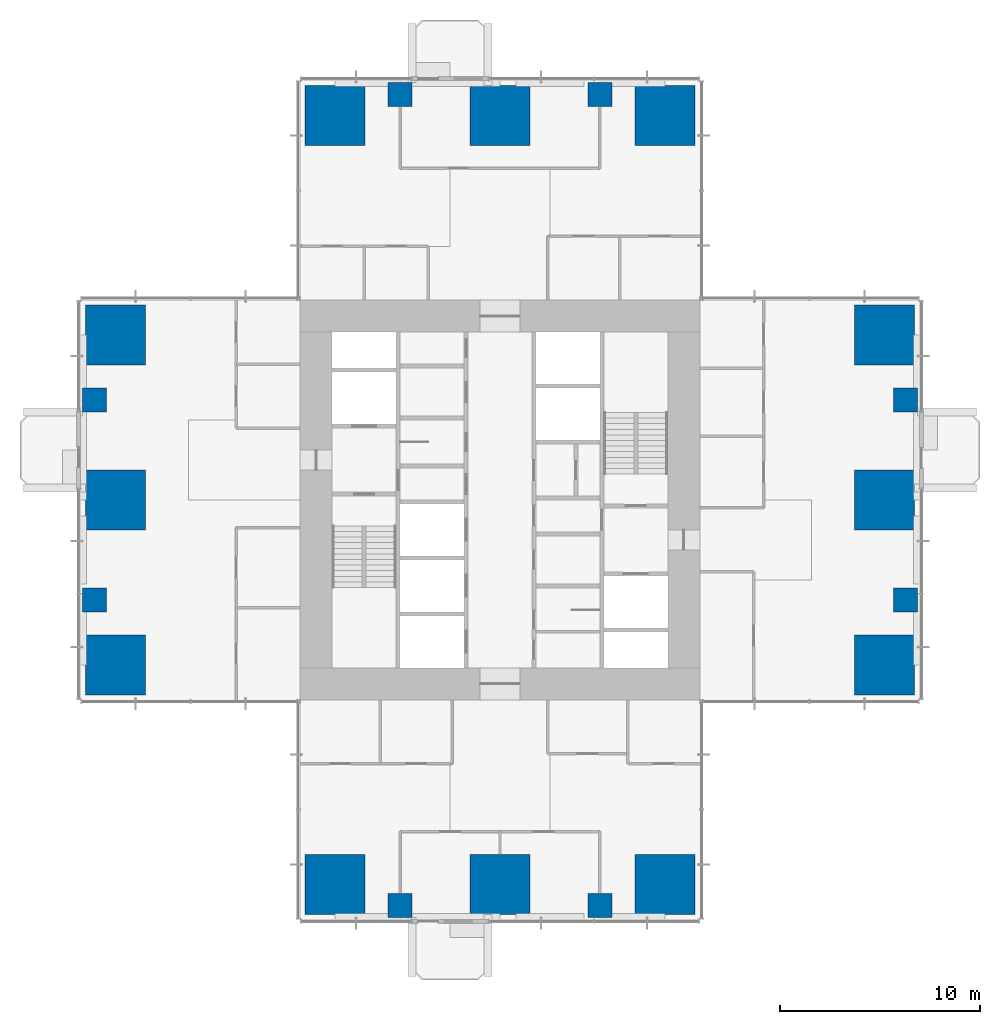
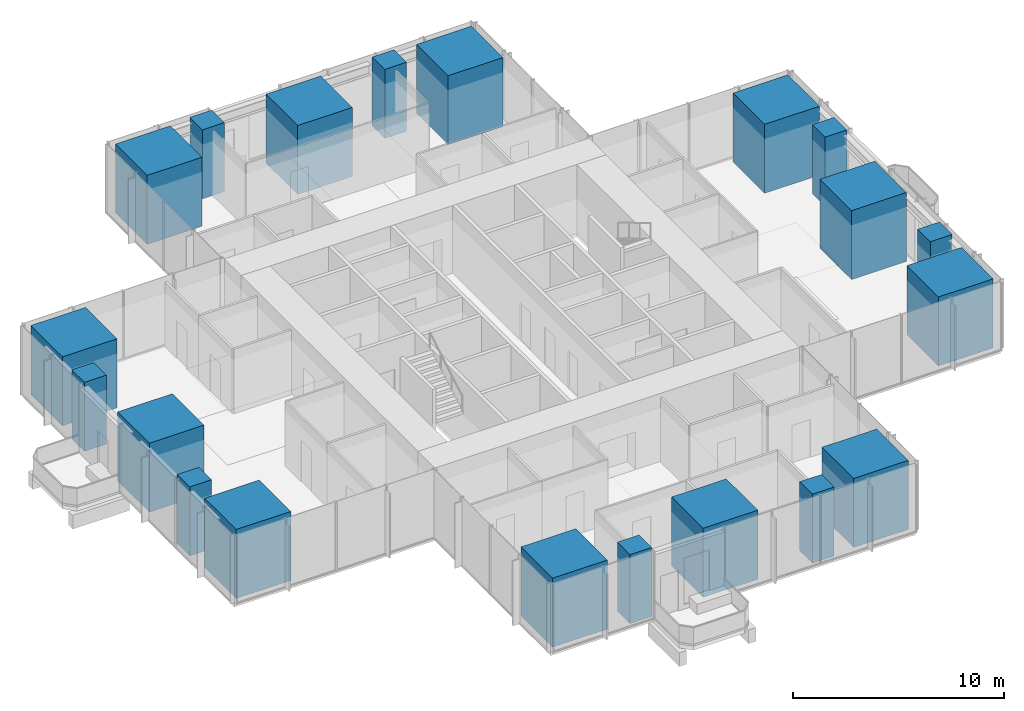
# One storey, part 1 of 13: 20 columns.
"""IFC4 building model written with IfcOpenShell, lengths in metres."""

from ifc_helpers import new_model, si_unit, direction, frame, origin, origin_2d, place, context, subcontext, project, spatial, rectangle, extrude, material, material_profile, profile_set, type_object, element, save


model = new_model("IFC4")

# Units and contexts
model_context = context("Model", 3, precision=1e-05, world=origin(), true_north=direction((0.0, 1.0)))
body_context = subcontext(model_context, "Body", "Model", "MODEL_VIEW")
ifc_project = project(units=[si_unit("LENGTHUNIT", "METRE"), si_unit("AREAUNIT", "SQUARE_METRE"), si_unit("VOLUMEUNIT", "CUBIC_METRE"), si_unit("PLANEANGLEUNIT", "RADIAN"), si_unit("MASSUNIT", "GRAM", prefix="KILO")], contexts=[model_context])

# Site, building, storey
site_placement = place(None, origin())
site = spatial("IfcSite", under=ifc_project, at=site_placement, CompositionType="ELEMENT")
building_placement = place(site_placement, origin())
building = spatial("IfcBuilding", under=site, at=building_placement, Name="Svetlomir Tower", CompositionType="ELEMENT")
storey_placement = place(building_placement, frame((0.0, 0.0, 124.5)))
storey = spatial("IfcBuildingStorey", under=building, at=storey_placement, Name="L29", CompositionType="ELEMENT", Elevation=124.5)

# Columns
ifc_material_1 = material(Name="Concrete C60/75", Category="concrete")
ifc_material_profile_1 = material_profile(ifc_material_1, rectangle(XDim=1.199951171875, YDim=1.199951171875, at=origin_2d()), Name="RC 1200x1200")
ifc_profile_set_1 = profile_set([ifc_material_profile_1], Name="Concrete C60/75")
column_type_1 = type_object("IfcColumnType", Name="COLUMN RC 1200x1200", PredefinedType="COLUMN", material=ifc_profile_set_1)
for number, where, z_axis, x_axis, name in (
    (1, (16.0, 0.699951171875, 0.0), (0.0, 0.0, 1.0), (1.0, 0.0, 0.0), "Column 16/0 L29"),
    (2, (26.0, 0.699951171875, 0.0), (0.0, 0.0, 1.0), (1.0, 0.0, 0.0), "Column 26/0 L29"),
    (3, (0.699951171875, 16.0, 0.0), (0.0, 0.0, 1.0), (1.0, 0.0, 0.0), "Column 0/16 L29"),
    (4, (41.300048828125, 16.0, 0.0), (0.0, 0.0, 1.0), (1.0, 0.0, 0.0), "Column 42/16 L29"),
    (5, (0.699951171875, 26.0, 0.0), (0.0, 0.0, 1.0), (1.0, 0.0, 0.0), "Column 0/26 L29"),
    (6, (41.300048828125, 26.0, 0.0), (0.0, 0.0, 1.0), (1.0, 0.0, 0.0), "Column 42/26 L29"),
    (7, (16.0, 41.300048828125, 0.0), (0.0, 0.0, 1.0), (1.0, 0.0, 0.0), "Column 16/42 L29"),
    (8, (26.0, 41.300048828125, 0.0), (0.0, 0.0, 1.0), (1.0, 0.0, 0.0), "Column 26/42 L29"),
):
    element("IfcColumn", number, at=place(storey_placement, frame(where, z_axis=z_axis, x_axis=x_axis)), inside=storey, type_object=column_type_1, Name=name, PredefinedType="COLUMN", context=body_context, shape_type="SweptSolid", body=[
        extrude(rectangle(XDim=1.199951171875, YDim=1.199951171875, at=origin_2d()), origin(), (0.0, 0.0, 1.0), 4.0),
    ])
ifc_material_2 = material(Name="Concrete C60/75", Category="concrete")
ifc_material_profile_2 = material_profile(ifc_material_2, rectangle(XDim=3.0, YDim=3.0, at=origin_2d()), Name="RC 3000x3000")
ifc_profile_set_2 = profile_set([ifc_material_profile_2], Name="Concrete C60/75")
column_type_2 = type_object("IfcColumnType", Name="COLUMN RC 3000x3000", PredefinedType="COLUMN", material=ifc_profile_set_2)
for number, where, z_axis, x_axis, name in (
    (9, (12.75, 1.75, 0.0), (0.0, 0.0, 1.0), (1.0, 0.0, 0.0), "Column 11/0 L29"),
    (10, (21.0, 1.75, 0.0), (0.0, 0.0, 1.0), (1.0, 0.0, 0.0), "Column 21/0 L29"),
    (11, (29.25, 1.75, 0.0), (0.0, 0.0, 1.0), (1.0, 0.0, 0.0), "Column 31/0 L29"),
    (12, (1.75, 12.75, 0.0), (0.0, 0.0, 1.0), (1.0, 0.0, 0.0), "Column 0/11 L29"),
    (13, (40.25, 12.75, 0.0), (0.0, 0.0, 1.0), (1.0, 0.0, 0.0), "Column 42/11 L29"),
    (14, (1.75, 21.0, 0.0), (0.0, 0.0, 1.0), (1.0, 0.0, 0.0), "Column 0/21 L29"),
    (15, (40.25, 21.0, 0.0), (0.0, 0.0, 1.0), (1.0, 0.0, 0.0), "Column 42/21 L29"),
    (16, (1.75, 29.25, 0.0), (0.0, 0.0, 1.0), (1.0, 0.0, 0.0), "Column 0/31 L29"),
    (17, (40.25, 29.25, 0.0), (0.0, 0.0, 1.0), (1.0, 0.0, 0.0), "Column 42/31 L29"),
    (18, (12.75, 40.25, 0.0), (0.0, 0.0, 1.0), (1.0, 0.0, 0.0), "Column 11/42 L29"),
    (19, (21.0, 40.25, 0.0), (0.0, 0.0, 1.0), (1.0, 0.0, 0.0), "Column 21/42 L29"),
    (20, (29.25, 40.25, 0.0), (0.0, 0.0, 1.0), (1.0, 0.0, 0.0), "Column 31/42 L29"),
):
    element("IfcColumn", number, at=place(storey_placement, frame(where, z_axis=z_axis, x_axis=x_axis)), inside=storey, type_object=column_type_2, Name=name, PredefinedType="COLUMN", context=body_context, shape_type="SweptSolid", body=[
        extrude(rectangle(XDim=3.0, YDim=3.0, at=origin_2d()), origin(), (0.0, 0.0, 1.0), 4.0),
    ])

save(model, "model.ifc")
